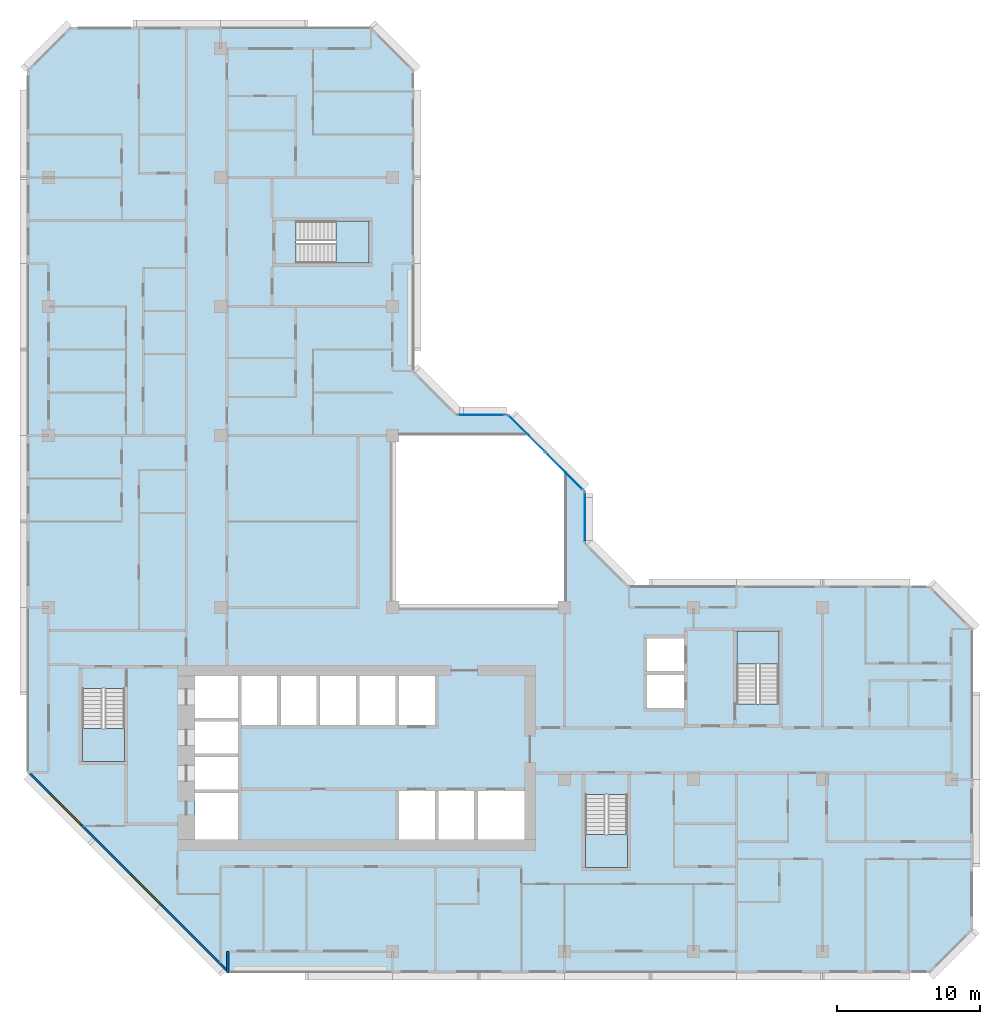
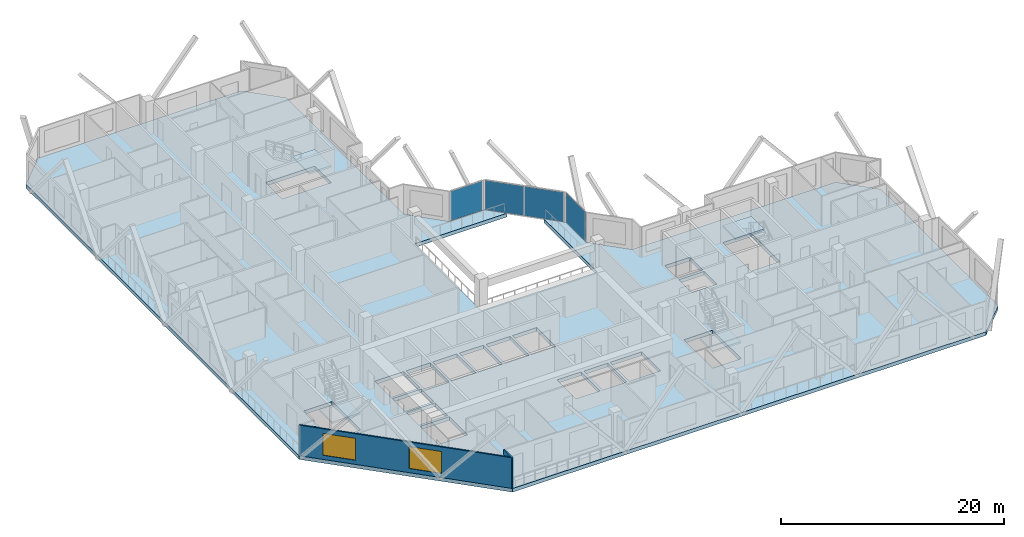
# One storey, part 3 of 14: 5 slabs, 4 plates, 2 walls, 2 windows, 2 openings, 7 elements without a shape of their own.
"""IFC4 building model written with IfcOpenShell, lengths in metres."""

from ifc_helpers import new_model, si_unit, direction, frame, frame_2d, origin, origin_2d, place, context, subcontext, project, spatial, polyline, rectangle, outline, extrude, material, layer, layer_set, type_object, element, fill, aggregate, save


model = new_model("IFC4")

# Units and contexts
model_context = context("Model", 3, precision=1e-05, world=origin(), true_north=direction((0.0, 1.0)))
body_context = subcontext(model_context, "Body", "Model", "MODEL_VIEW")
ifc_project = project(units=[si_unit("LENGTHUNIT", "METRE"), si_unit("AREAUNIT", "SQUARE_METRE"), si_unit("VOLUMEUNIT", "CUBIC_METRE"), si_unit("PLANEANGLEUNIT", "RADIAN"), si_unit("MASSUNIT", "GRAM", prefix="KILO")], contexts=[model_context])

# Site, building, storey
site_placement = place(None, origin())
site = spatial("IfcSite", under=ifc_project, at=site_placement, CompositionType="ELEMENT")
building_placement = place(site_placement, origin())
building = spatial("IfcBuilding", under=site, at=building_placement, Name="Chenar Terraces", CompositionType="ELEMENT")
storey_placement = place(building_placement, frame((0.0, 0.0, 164.89990234375)))
storey = spatial("IfcBuildingStorey", under=building, at=storey_placement, Name="L37", CompositionType="ELEMENT", Elevation=164.89990234375)

# Curtain wall, plate
ifc_material_1 = material(Name="Aluminium framed glazing", Category="aluminium")
ifc_layer_1 = layer(ifc_material_1, 0.14990234375)
ifc_layer_set_1 = layer_set([ifc_layer_1], Name="Aluminium framed glazing")
curtain_wall_type = type_object("IfcCurtainWallType", Name="Atrium mid-zone curtain wall", PredefinedType="NOTDEFINED", material=ifc_layer_set_1)
placement_1 = place(storey_placement, origin())
curtain_wall_1 = element("IfcCurtainWall", 1, at=placement_1, inside=storey, type_object=curtain_wall_type, Name="Atrium mid-zone curtain wall", PredefinedType="NOTDEFINED")
ifc_material_2 = material(Name="Low emissivity laminated glass, solar control coating", Category="glass")
ifc_layer_2 = layer(ifc_material_2, 0.031982421875)
ifc_layer_set_2 = layer_set([ifc_layer_2], Name="Low emissivity laminated glass, solar control coating")
plate_type = type_object("IfcPlateType", Name="Atrium mid-zone glazing panel 32", PredefinedType="CURTAIN_PANEL", material=ifc_layer_set_2)
plate_1_placement = place(storey_placement, frame((37.425048828125, 30.300048828125, 0.070068359375), z_axis=(0.0, 0.0, 1.0), x_axis=(0.0, 1.0, 0.0)))
plate_1 = element("IfcPlate", 2, at=plate_1_placement, type_object=plate_type, Name="CW7-1 panel 1.1", PredefinedType="CURTAIN_PANEL", context=body_context, shape_type="SweptSolid", body=[
    extrude(rectangle(XDim=3.4599609375, YDim=0.031982421875, at=origin_2d()), origin(), (0.0, 0.0, 1.0), 3.2099609375),
])
aggregate(curtain_wall_1, [plate_1])

# Curtain wall, plates
curtain_wall_2 = element("IfcCurtainWall", 3, at=placement_1, inside=storey, type_object=curtain_wall_type, Name="Atrium mid-zone curtain wall", PredefinedType="NOTDEFINED")
plate_2_placement = place(storey_placement, frame((35.978515625, 33.515380859375, 0.070068359375), z_axis=(0.0, 0.0, 1.0), x_axis=(-0.707106781187, 0.707106781187, 0.0)))
plate_2 = element("IfcPlate", 4, at=plate_2_placement, type_object=plate_type, Name="CW7-2 panel 1.1", PredefinedType="CURTAIN_PANEL", context=body_context, shape_type="SweptSolid", body=[
    extrude(rectangle(XDim=3.61328125, YDim=0.031982421875, at=origin_2d()), origin(), (0.0, 0.0, 1.0), 3.2099609375),
])
plate_3_placement = place(storey_placement, frame((33.3740234375, 36.119873046875, 0.070068359375), z_axis=(0.0, 0.0, 1.0), x_axis=(-0.707106781187, 0.707106781187, 0.0)))
plate_3 = element("IfcPlate", 5, at=plate_3_placement, type_object=plate_type, Name="CW7-2 panel 2.1", PredefinedType="CURTAIN_PANEL", context=body_context, shape_type="SweptSolid", body=[
    extrude(rectangle(XDim=3.61328125, YDim=0.031982421875, at=origin_2d()), origin(), (0.0, 0.0, 1.0), 3.2099609375),
])
aggregate(curtain_wall_2, [plate_2, plate_3])

# Curtain wall, plate
curtain_wall_3 = element("IfcCurtainWall", 6, at=placement_1, inside=storey, type_object=curtain_wall_type, Name="Atrium mid-zone curtain wall", PredefinedType="NOTDEFINED")
plate_4_placement = place(storey_placement, frame((30.199951171875, 37.425048828125, 0.070068359375), z_axis=(0.0, 0.0, 1.0), x_axis=(-1.0, 0.0, 0.0)))
plate_4 = element("IfcPlate", 7, at=plate_4_placement, type_object=plate_type, Name="CW7-3 panel 1.1", PredefinedType="CURTAIN_PANEL", context=body_context, shape_type="SweptSolid", body=[
    extrude(rectangle(XDim=3.260009765625, YDim=0.031982421875, at=origin_2d()), origin(), (0.0, 0.0, 1.0), 3.2099609375),
])
aggregate(curtain_wall_3, [plate_4])

# Stair, slab
ifc_material_3 = material(Name="Reinforced concrete C40/50", Category="concrete")
stair_type = type_object("IfcStairType", Name="Core stair 1400 half-turn", PredefinedType="HALF_TURN_STAIR", material=ifc_material_3)
stair_1 = element("IfcStair", 8, at=placement_1, inside=storey, type_object=stair_type, Name="L37 Stair 1", PredefinedType="HALF_TURN_STAIR")
ifc_material_4 = material(Name="Reinforced concrete C40/50", Category="concrete")
ifc_layer_3 = layer(ifc_material_4, 0.199951171875)
ifc_layer_set_3 = layer_set([ifc_layer_3], Name="Reinforced concrete C40/50")
slab_type_1 = type_object("IfcSlabType", Name="Core stair landing 200", PredefinedType="LANDING", material=ifc_layer_set_3)
placement_2 = place(storey_placement, frame((0.0, 0.0, 1.675048828125)))
slab_1 = element("IfcSlab", 9, at=placement_2, type_object=slab_type_1, Name="ST1 landing 1", PredefinedType="LANDING", context=body_context, shape_type="SweptSolid", body=[
    extrude(outline(polyline([(2.35009765625, 15.550048828125), (2.35009765625, 13.25), (5.300048828125, 13.25), (5.300048828125, 15.550048828125), (2.35009765625, 15.550048828125)])), origin(), (0.0, 0.0, 1.0), 0.199951171875),
])
aggregate(stair_1, [slab_1])

stair_2 = element("IfcStair", 10, at=placement_1, inside=storey, type_object=stair_type, Name="L37 Stair 2", PredefinedType="HALF_TURN_STAIR")
slab_2 = element("IfcSlab", 11, at=placement_2, type_object=slab_type_1, Name="ST2 landing 1", PredefinedType="LANDING", context=body_context, shape_type="SweptSolid", body=[
    extrude(outline(polyline([(37.449951171875, 8.14990234375), (37.449951171875, 5.85009765625), (40.39990234375, 5.85009765625), (40.39990234375, 8.14990234375), (37.449951171875, 8.14990234375)])), origin(), (0.0, 0.0, 1.0), 0.199951171875),
])
aggregate(stair_2, [slab_2])

stair_3 = element("IfcStair", 12, at=placement_1, inside=storey, type_object=stair_type, Name="L37 Stair 3", PredefinedType="HALF_TURN_STAIR")
slab_3 = element("IfcSlab", 13, at=placement_2, type_object=slab_type_1, Name="ST3 landing 1", PredefinedType="LANDING", context=body_context, shape_type="SweptSolid", body=[
    extrude(outline(polyline([(50.97509765625, 20.050048828125), (50.97509765625, 22.35009765625), (48.02490234375, 22.35009765625), (48.02490234375, 20.050048828125), (50.97509765625, 20.050048828125)])), origin(), (0.0, 0.0, 1.0), 0.199951171875),
])
aggregate(stair_3, [slab_3])

stair_4 = element("IfcStair", 14, at=placement_1, inside=storey, type_object=stair_type, Name="L37 Stair 4", PredefinedType="HALF_TURN_STAIR")
slab_4 = element("IfcSlab", 15, at=placement_2, type_object=slab_type_1, Name="ST4 landing 1", PredefinedType="LANDING", context=body_context, shape_type="SweptSolid", body=[
    extrude(outline(polyline([(20.050048828125, 48.02490234375), (22.35009765625, 48.02490234375), (22.35009765625, 50.97509765625), (20.050048828125, 50.97509765625), (20.050048828125, 48.02490234375)])), origin(), (0.0, 0.0, 1.0), 0.199951171875),
])
aggregate(stair_4, [slab_4])

# Slab
ifc_material_5 = material(Name="Concrete C40/50", Category="concrete")
ifc_layer_4 = layer(ifc_material_5, 0.39990234375)
ifc_layer_set_4 = layer_set([ifc_layer_4], Name="Concrete C40/50")
slab_type_2 = type_object("IfcSlabType", Name="Floor slab 400 Concrete C40/50", PredefinedType="FLOOR", material=ifc_layer_set_4)
slab_5_placement = place(storey_placement, frame((0.0, 0.0, -0.39990234375)))
element("IfcSlab", 16, at=slab_5_placement, inside=storey, type_object=slab_type_2, Name="Floor slab L37", PredefinedType="FLOOR", context=body_context, shape_type="SweptSolid", body=[
    extrude(outline(polyline([(64.5, 22.5), (64.5, 1.5), (61.5, -1.5), (12.5, -1.5), (-1.5, 12.5), (-1.5, 61.5), (1.5, 64.5), (22.5, 64.5), (25.5, 61.5), (25.5, 40.5), (28.5, 37.5), (32.10009765625, 37.5), (33.60009765625, 36.0), (24.0, 36.0), (24.0, 24.0), (36.0, 24.0), (36.0, 33.60009765625), (37.5, 32.10009765625), (37.5, 28.5), (40.5, 25.5), (61.5, 25.5), (64.5, 22.5)]), holes=[polyline([(13.199951171875, 11.050048828125), (10.199951171875, 11.050048828125), (10.199951171875, 7.800048828125), (13.199951171875, 7.800048828125), (13.199951171875, 11.050048828125)]), polyline([(13.199951171875, 13.550048828125), (10.199951171875, 13.550048828125), (10.199951171875, 11.300048828125), (13.199951171875, 11.300048828125), (13.199951171875, 13.550048828125)]), polyline([(13.199951171875, 16.050048828125), (10.199951171875, 16.050048828125), (10.199951171875, 13.800048828125), (13.199951171875, 13.800048828125), (13.199951171875, 16.050048828125)]), polyline([(2.35009765625, 13.25), (5.300048828125, 13.25), (5.300048828125, 18.35009765625), (2.35009765625, 18.35009765625), (2.35009765625, 13.25)]), polyline([(15.949951171875, 19.199951171875), (13.449951171875, 19.199951171875), (13.449951171875, 15.800048828125), (15.949951171875, 15.800048828125), (15.949951171875, 19.199951171875)]), polyline([(18.699951171875, 19.199951171875), (16.199951171875, 19.199951171875), (16.199951171875, 15.800048828125), (18.699951171875, 15.800048828125), (18.699951171875, 19.199951171875)]), polyline([(21.449951171875, 19.199951171875), (18.949951171875, 19.199951171875), (18.949951171875, 15.800048828125), (21.449951171875, 15.800048828125), (21.449951171875, 19.199951171875)]), polyline([(24.199951171875, 15.800048828125), (24.199951171875, 19.199951171875), (21.699951171875, 19.199951171875), (21.699951171875, 15.800048828125), (24.199951171875, 15.800048828125)]), polyline([(13.199951171875, 16.300048828125), (13.199951171875, 19.199951171875), (10.199951171875, 19.199951171875), (10.199951171875, 16.300048828125), (13.199951171875, 16.300048828125)]), polyline([(22.35009765625, 48.02490234375), (22.35009765625, 50.97509765625), (17.25, 50.97509765625), (17.25, 48.02490234375), (22.35009765625, 48.02490234375)]), polyline([(37.449951171875, 5.85009765625), (40.39990234375, 5.85009765625), (40.39990234375, 10.949951171875), (37.449951171875, 10.949951171875), (37.449951171875, 5.85009765625)]), polyline([(26.949951171875, 11.199951171875), (24.449951171875, 11.199951171875), (24.449951171875, 7.800048828125), (26.949951171875, 7.800048828125), (26.949951171875, 11.199951171875)]), polyline([(29.699951171875, 7.800048828125), (29.699951171875, 11.199951171875), (27.199951171875, 11.199951171875), (27.199951171875, 7.800048828125), (29.699951171875, 7.800048828125)]), polyline([(33.199951171875, 7.800048828125), (33.199951171875, 11.199951171875), (29.949951171875, 11.199951171875), (29.949951171875, 7.800048828125), (33.199951171875, 7.800048828125)]), polyline([(26.949951171875, 19.199951171875), (24.449951171875, 19.199951171875), (24.449951171875, 15.800048828125), (26.949951171875, 15.800048828125), (26.949951171875, 19.199951171875)]), polyline([(44.35009765625, 19.300048828125), (41.75, 19.300048828125), (41.75, 17.0), (44.35009765625, 17.0), (44.35009765625, 19.300048828125)]), polyline([(50.97509765625, 22.35009765625), (48.02490234375, 22.35009765625), (48.02490234375, 17.25), (50.97509765625, 17.25), (50.97509765625, 22.35009765625)]), polyline([(44.35009765625, 19.550048828125), (44.35009765625, 21.85009765625), (41.75, 21.85009765625), (41.75, 19.550048828125), (44.35009765625, 19.550048828125)])]), origin(), (0.0, 0.0, 1.0), 0.39990234375),
])

# Wall
ifc_material_6 = material(Name="Terracotta cladding on insulated backing", Category="masonry")
ifc_layer_5 = layer(ifc_material_6, 0.14990234375)
ifc_layer_set_5 = layer_set([ifc_layer_5], Name="Terracotta cladding on insulated backing")
wall_type_1 = type_object("IfcWallType", Name="Loggia return wall 150", PredefinedType="SOLIDWALL", material=ifc_layer_set_5)
wall_1_placement = place(storey_placement, frame((12.5, -1.5, 0.0), z_axis=(0.0, 0.0, 1.0), x_axis=(0.0, 1.0, 0.0)))
element("IfcWall", 17, at=wall_1_placement, inside=storey, type_object=wall_type_1, Name="Loggia return wall", PredefinedType="SOLIDWALL", context=body_context, shape_type="SweptSolid", body=[
    extrude(rectangle(XDim=1.5, YDim=0.14990234375, at=frame_2d((0.75, 0.0))), origin(), (0.0, 0.0, 1.0), 3.35009765625),
])

# Wall, openings, windows
ifc_material_7 = material(Name="Terracotta cladding on insulated backing", Category="masonry")
ifc_layer_6 = layer(ifc_material_7, 0.14990234375)
ifc_layer_set_6 = layer_set([ifc_layer_6], Name="Terracotta cladding on insulated backing")
wall_type_2 = type_object("IfcWallType", Name="Terracotta rainscreen wall 150", PredefinedType="SOLIDWALL", material=ifc_layer_set_6)
wall_2_placement = place(storey_placement, frame((-1.447021484375, 12.552978515625, 0.0), z_axis=(0.0, 0.0, 1.0), x_axis=(0.707106781187, -0.707106781187, 0.0)))
wall_2 = element("IfcWall", 18, at=wall_2_placement, inside=storey, type_object=wall_type_2, Name="Terracotta rainscreen wall", PredefinedType="SOLIDWALL", context=body_context, shape_type="SweptSolid", body=[
    extrude(rectangle(XDim=19.799072265625, YDim=0.14990234375, at=frame_2d((9.8994140625, 0.0))), origin(), (0.0, 0.0, 1.0), 3.35009765625),
])
opening_1_placement = place(wall_2_placement, frame((2.21240234375, 0.0, 0.449951171875)))
opening_1 = element("IfcOpeningElement", 19, at=opening_1_placement, cuts=wall_2, Name="Opening W300x240", PredefinedType="OPENING", context=body_context, shape_type="SweptSolid", body=[
    extrude(rectangle(XDim=3.0, YDim=2.39990234375, at=frame_2d((1.5, 1.199951171875))), frame((0.0, 0.0849609375, 0.0), z_axis=(0.0, -1.0, 0.0), x_axis=(1.0, 0.0, 0.0)), (0.0, 0.0, 1.0), 0.169921875),
])
opening_2_placement = place(wall_2_placement, frame((10.215576171875, 0.0, 0.449951171875)))
opening_2 = element("IfcOpeningElement", 20, at=opening_2_placement, cuts=wall_2, Name="Opening W300x240", PredefinedType="OPENING", context=body_context, shape_type="SweptSolid", body=[
    extrude(rectangle(XDim=3.0, YDim=2.39990234375, at=frame_2d((1.5, 1.199951171875))), frame((0.0, 0.0849609375, 0.0), z_axis=(0.0, -1.0, 0.0), x_axis=(1.0, 0.0, 0.0)), (0.0, 0.0, 1.0), 0.169921875),
])
ifc_material_8 = material(Name="Low emissivity double glazing, aluminium frame", Category="aluminium")
window_type = type_object("IfcWindowType", Name="Fixed light 3000 x 2400", PartitioningType="SINGLE_PANEL", PredefinedType="WINDOW", material=ifc_material_8)
window_1_placement = place(opening_1_placement, origin())
window_1 = element("IfcWindow", 21, at=window_1_placement, inside=storey, type_object=window_type, Name="Window", OverallHeight=2.39990234375, OverallWidth=3.0, PartitioningType="SINGLE_PANEL", PredefinedType="WINDOW", context=body_context, shape_type="SweptSolid", body=[
    extrude(rectangle(XDim=3.0, YDim=2.39990234375, at=frame_2d((1.5, 1.199951171875))), frame((0.0, 0.030029296875, 0.0), z_axis=(0.0, -1.0, 0.0), x_axis=(1.0, 0.0, 0.0)), (0.0, 0.0, 1.0), 0.06005859375),
])
fill(opening_1, window_1)
window_2_placement = place(opening_2_placement, origin())
window_2 = element("IfcWindow", 22, at=window_2_placement, inside=storey, type_object=window_type, Name="Window", OverallHeight=2.39990234375, OverallWidth=3.0, PartitioningType="SINGLE_PANEL", PredefinedType="WINDOW", context=body_context, shape_type="SweptSolid", body=[
    extrude(rectangle(XDim=3.0, YDim=2.39990234375, at=frame_2d((1.5, 1.199951171875))), frame((0.0, 0.030029296875, 0.0), z_axis=(0.0, -1.0, 0.0), x_axis=(1.0, 0.0, 0.0)), (0.0, 0.0, 1.0), 0.06005859375),
])
fill(opening_2, window_2)

save(model, "model.ifc")
